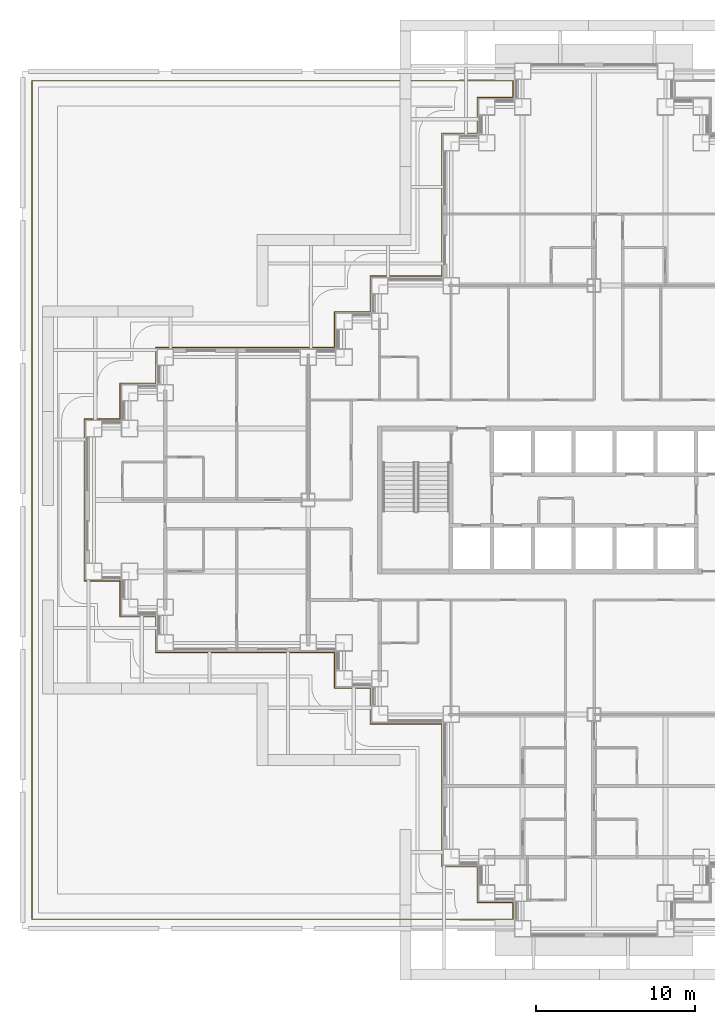
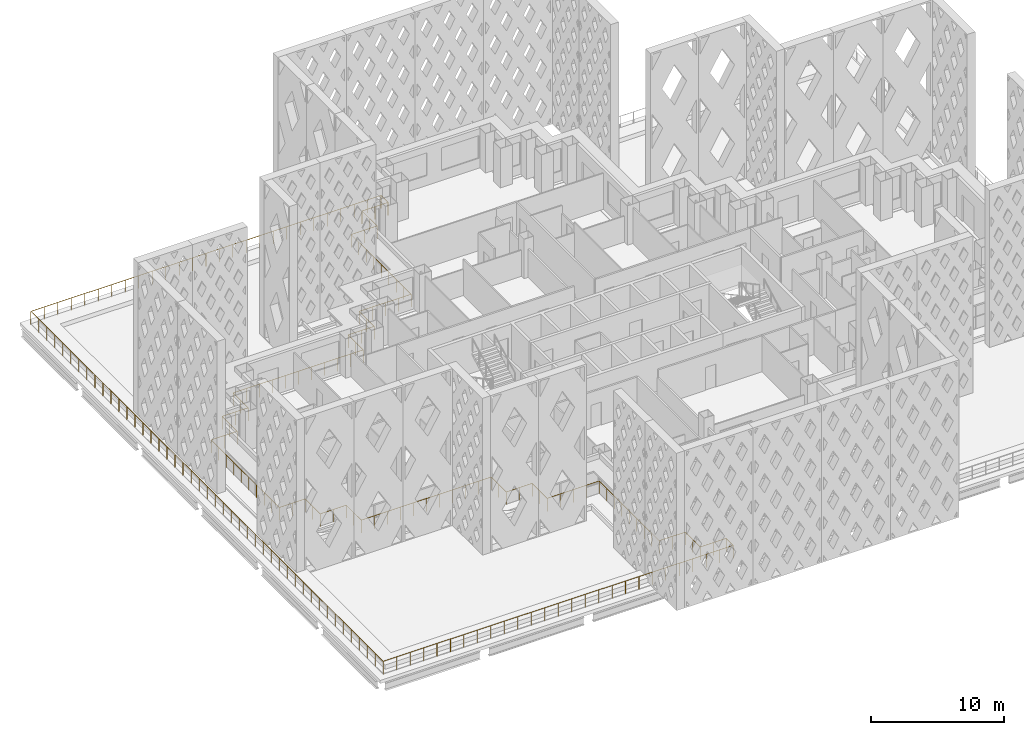
# One storey, part 16 of 26: 1 railing.
"""IFC4 building model written with IfcOpenShell, lengths in metres."""

from ifc_helpers import new_model, si_unit, direction, frame, origin, origin_2d, place, context, subcontext, project, spatial, circle, extrude, material, type_object, element, save


model = new_model("IFC4")

# Units and contexts
model_context = context("Model", 3, precision=1e-05, world=origin(), true_north=direction((0.0, 1.0)))
body_context = subcontext(model_context, "Body", "Model", "MODEL_VIEW")
ifc_project = project(units=[si_unit("LENGTHUNIT", "METRE"), si_unit("AREAUNIT", "SQUARE_METRE"), si_unit("VOLUMEUNIT", "CUBIC_METRE"), si_unit("PLANEANGLEUNIT", "RADIAN"), si_unit("MASSUNIT", "GRAM", prefix="KILO")], contexts=[model_context])

# Site, building, storey
site_placement = place(None, origin())
site = spatial("IfcSite", under=ifc_project, at=site_placement, CompositionType="ELEMENT")
building_placement = place(site_placement, origin())
building = spatial("IfcBuilding", under=site, at=building_placement, Name="Caravel Reach Hotel and Residences", CompositionType="ELEMENT")
storey_placement = place(building_placement, frame((0.0, 0.0, 33.60009765625)))
storey = spatial("IfcBuildingStorey", under=building, at=storey_placement, Name="L06", CompositionType="ELEMENT", Elevation=33.60009765625)

# Railing
ifc_material = material(Name="Stainless steel S30408", Category="steel")
railing_type = type_object("IfcRailingType", Name="G1 Guard 1200 stainless", PredefinedType="GUARDRAIL", material=ifc_material)
railing_placement = place(storey_placement, frame((-3.89990234375, 0.60009765625, 0.0)))
element("IfcRailing", 1, at=railing_placement, inside=storey, type_object=railing_type, Name="Guard podium terrace 2", PredefinedType="GUARDRAIL", context=body_context, shape_type="SweptSolid", body=[
    extrude(circle(Radius=0.02392578125, at=origin_2d()), frame((0.0, 0.0, 1.17578125), z_axis=(0.0, 1.0, 0.0), x_axis=(-1.0, 0.0, 0.0)), (0.0, 0.0, 1.0), 52.7998046875),
    extrude(circle(Radius=0.02392578125, at=origin_2d()), frame((0.0, 52.7998046875, 1.17578125), z_axis=(1.0, 0.0, 0.0), x_axis=(0.0, 1.0, 0.0)), (0.0, 0.0, 1.0), 30.2998046875),
    extrude(circle(Radius=0.02392578125, at=origin_2d()), frame((30.2998046875, 52.7998046875, 1.17578125), z_axis=(0.0, -1.0, 0.0), x_axis=(1.0, 0.0, 0.0)), (0.0, 0.0, 1.0), 1.0498046875),
    extrude(circle(Radius=0.02392578125, at=origin_2d()), frame((30.2998046875, 51.75, 1.17578125), z_axis=(-1.0, 0.0, 0.0), x_axis=(0.0, -1.0, 0.0)), (0.0, 0.0, 1.0), 2.25),
    extrude(circle(Radius=0.02392578125, at=origin_2d()), frame((28.0498046875, 51.75, 1.17578125), z_axis=(0.0, -1.0, 0.0), x_axis=(1.0, 0.0, 0.0)), (0.0, 0.0, 1.0), 2.25),
    extrude(circle(Radius=0.02392578125, at=origin_2d()), frame((28.0498046875, 49.5, 1.17578125), z_axis=(-1.0, 0.0, 0.0), x_axis=(0.0, -1.0, 0.0)), (0.0, 0.0, 1.0), 2.25),
    extrude(circle(Radius=0.02392578125, at=origin_2d()), frame((25.7998046875, 49.5, 1.17578125), z_axis=(0.0, -1.0, 0.0), x_axis=(1.0, 0.0, 0.0)), (0.0, 0.0, 1.0), 9.0),
    extrude(circle(Radius=0.02392578125, at=origin_2d()), frame((25.7998046875, 40.5, 1.17578125), z_axis=(-1.0, 0.0, 0.0), x_axis=(0.0, -1.0, 0.0)), (0.0, 0.0, 1.0), 4.5),
    extrude(circle(Radius=0.02392578125, at=origin_2d()), frame((21.2998046875, 40.5, 1.17578125), z_axis=(0.0, -1.0, 0.0), x_axis=(1.0, 0.0, 0.0)), (0.0, 0.0, 1.0), 2.25),
    extrude(circle(Radius=0.02392578125, at=origin_2d()), frame((21.2998046875, 38.25, 1.17578125), z_axis=(-1.0, 0.0, 0.0), x_axis=(0.0, -1.0, 0.0)), (0.0, 0.0, 1.0), 2.25),
    extrude(circle(Radius=0.02392578125, at=origin_2d()), frame((19.0498046875, 38.25, 1.17578125), z_axis=(0.0, -1.0, 0.0), x_axis=(1.0, 0.0, 0.0)), (0.0, 0.0, 1.0), 2.25),
    extrude(circle(Radius=0.02392578125, at=origin_2d()), frame((19.0498046875, 36.0, 1.17578125), z_axis=(-1.0, 0.0, 0.0), x_axis=(0.0, -1.0, 0.0)), (0.0, 0.0, 1.0), 11.25),
    extrude(circle(Radius=0.02392578125, at=origin_2d()), frame((7.7998046875, 36.0, 1.17578125), z_axis=(0.0, -1.0, 0.0), x_axis=(1.0, 0.0, 0.0)), (0.0, 0.0, 1.0), 2.25),
    extrude(circle(Radius=0.02392578125, at=origin_2d()), frame((7.7998046875, 33.75, 1.17578125), z_axis=(-1.0, 0.0, 0.0), x_axis=(0.0, -1.0, 0.0)), (0.0, 0.0, 1.0), 2.25),
    extrude(circle(Radius=0.02392578125, at=origin_2d()), frame((5.5498046875, 33.75, 1.17578125), z_axis=(0.0, -1.0, 0.0), x_axis=(1.0, 0.0, 0.0)), (0.0, 0.0, 1.0), 2.25),
    extrude(circle(Radius=0.02392578125, at=origin_2d()), frame((5.5498046875, 31.5, 1.17578125), z_axis=(-1.0, 0.0, 0.0), x_axis=(0.0, -1.0, 0.0)), (0.0, 0.0, 1.0), 2.25),
    extrude(circle(Radius=0.02392578125, at=origin_2d()), frame((3.2998046875, 31.5, 1.17578125), z_axis=(0.0, -1.0, 0.0), x_axis=(1.0, 0.0, 0.0)), (0.0, 0.0, 1.0), 10.2001953125),
    extrude(circle(Radius=0.02392578125, at=origin_2d()), frame((3.2998046875, 21.2998046875, 1.17578125), z_axis=(1.0, 0.0, 0.0), x_axis=(0.0, 1.0, 0.0)), (0.0, 0.0, 1.0), 2.25),
    extrude(circle(Radius=0.02392578125, at=origin_2d()), frame((5.5498046875, 21.2998046875, 1.17578125), z_axis=(0.0, -1.0, 0.0), x_axis=(1.0, 0.0, 0.0)), (0.0, 0.0, 1.0), 2.25),
    extrude(circle(Radius=0.02392578125, at=origin_2d()), frame((5.5498046875, 19.0498046875, 1.17578125), z_axis=(1.0, 0.0, 0.0), x_axis=(0.0, 1.0, 0.0)), (0.0, 0.0, 1.0), 2.25),
    extrude(circle(Radius=0.02392578125, at=origin_2d()), frame((7.7998046875, 19.0498046875, 1.17578125), z_axis=(0.0, -1.0, 0.0), x_axis=(1.0, 0.0, 0.0)), (0.0, 0.0, 1.0), 2.25),
    extrude(circle(Radius=0.02392578125, at=origin_2d()), frame((7.7998046875, 16.7998046875, 1.17578125), z_axis=(1.0, 0.0, 0.0), x_axis=(0.0, 1.0, 0.0)), (0.0, 0.0, 1.0), 11.25),
    extrude(circle(Radius=0.02392578125, at=origin_2d()), frame((19.0498046875, 16.7998046875, 1.17578125), z_axis=(0.0, -1.0, 0.0), x_axis=(1.0, 0.0, 0.0)), (0.0, 0.0, 1.0), 2.25),
    extrude(circle(Radius=0.02392578125, at=origin_2d()), frame((19.0498046875, 14.5498046875, 1.17578125), z_axis=(1.0, 0.0, 0.0), x_axis=(0.0, 1.0, 0.0)), (0.0, 0.0, 1.0), 2.25),
    extrude(circle(Radius=0.02392578125, at=origin_2d()), frame((21.2998046875, 14.5498046875, 1.17578125), z_axis=(0.0, -1.0, 0.0), x_axis=(1.0, 0.0, 0.0)), (0.0, 0.0, 1.0), 2.25),
    extrude(circle(Radius=0.02392578125, at=origin_2d()), frame((21.2998046875, 12.2998046875, 1.17578125), z_axis=(1.0, 0.0, 0.0), x_axis=(0.0, 1.0, 0.0)), (0.0, 0.0, 1.0), 4.5),
    extrude(circle(Radius=0.02392578125, at=origin_2d()), frame((25.7998046875, 12.2998046875, 1.17578125), z_axis=(0.0, -1.0, 0.0), x_axis=(1.0, 0.0, 0.0)), (0.0, 0.0, 1.0), 9.0),
    extrude(circle(Radius=0.02392578125, at=origin_2d()), frame((25.7998046875, 3.2998046875, 1.17578125), z_axis=(1.0, 0.0, 0.0), x_axis=(0.0, 1.0, 0.0)), (0.0, 0.0, 1.0), 2.25),
    extrude(circle(Radius=0.02392578125, at=origin_2d()), frame((28.0498046875, 3.2998046875, 1.17578125), z_axis=(0.0, -1.0, 0.0), x_axis=(1.0, 0.0, 0.0)), (0.0, 0.0, 1.0), 2.25),
    extrude(circle(Radius=0.02392578125, at=origin_2d()), frame((28.0498046875, 1.0498046875, 1.17578125), z_axis=(1.0, 0.0, 0.0), x_axis=(0.0, 1.0, 0.0)), (0.0, 0.0, 1.0), 2.25),
    extrude(circle(Radius=0.02392578125, at=origin_2d()), frame((30.2998046875, 1.0498046875, 1.17578125), z_axis=(0.0, -1.0, 0.0), x_axis=(1.0, 0.0, 0.0)), (0.0, 0.0, 1.0), 1.0498046875),
    extrude(circle(Radius=0.02392578125, at=origin_2d()), frame((30.2998046875, 0.0, 1.17578125), z_axis=(-1.0, 0.0, 0.0), x_axis=(0.0, -1.0, 0.0)), (0.0, 0.0, 1.0), 30.2998046875),
    extrude(circle(Radius=0.02099609375, at=origin_2d()), origin(), (0.0, 0.0, 1.0), 1.15185546875),
    extrude(circle(Radius=0.02099609375, at=origin_2d()), frame((0.0, 1.199951171875, 0.0)), (0.0, 0.0, 1.0), 1.15185546875),
    extrude(circle(Radius=0.02099609375, at=origin_2d()), frame((0.0, 2.39990234375, 0.0)), (0.0, 0.0, 1.0), 1.15185546875),
    extrude(circle(Radius=0.02099609375, at=origin_2d()), frame((0.0, 3.60009765625, 0.0)), (0.0, 0.0, 1.0), 1.15185546875),
    extrude(circle(Radius=0.02099609375, at=origin_2d()), frame((0.0, 4.800048828125, 0.0)), (0.0, 0.0, 1.0), 1.15185546875),
    extrude(circle(Radius=0.02099609375, at=origin_2d()), frame((0.0, 6.0, 0.0)), (0.0, 0.0, 1.0), 1.15185546875),
    extrude(circle(Radius=0.02099609375, at=origin_2d()), frame((0.0, 7.199951171875, 0.0)), (0.0, 0.0, 1.0), 1.15185546875),
    extrude(circle(Radius=0.02099609375, at=origin_2d()), frame((0.0, 8.39990234375, 0.0)), (0.0, 0.0, 1.0), 1.15185546875),
    extrude(circle(Radius=0.02099609375, at=origin_2d()), frame((0.0, 9.599853515625, 0.0)), (0.0, 0.0, 1.0), 1.15185546875),
    extrude(circle(Radius=0.02099609375, at=origin_2d()), frame((0.0, 10.800048828125, 0.0)), (0.0, 0.0, 1.0), 1.15185546875),
    extrude(circle(Radius=0.02099609375, at=origin_2d()), frame((0.0, 12.0, 0.0)), (0.0, 0.0, 1.0), 1.15185546875),
    extrude(circle(Radius=0.02099609375, at=origin_2d()), frame((0.0, 13.199951171875, 0.0)), (0.0, 0.0, 1.0), 1.15185546875),
    extrude(circle(Radius=0.02099609375, at=origin_2d()), frame((0.0, 14.39990234375, 0.0)), (0.0, 0.0, 1.0), 1.15185546875),
    extrude(circle(Radius=0.02099609375, at=origin_2d()), frame((0.0, 15.599853515625, 0.0)), (0.0, 0.0, 1.0), 1.15185546875),
    extrude(circle(Radius=0.02099609375, at=origin_2d()), frame((0.0, 16.800048828125, 0.0)), (0.0, 0.0, 1.0), 1.15185546875),
    extrude(circle(Radius=0.02099609375, at=origin_2d()), frame((0.0, 18.0, 0.0)), (0.0, 0.0, 1.0), 1.15185546875),
    extrude(circle(Radius=0.02099609375, at=origin_2d()), frame((0.0, 19.199951171875, 0.0)), (0.0, 0.0, 1.0), 1.15185546875),
    extrude(circle(Radius=0.02099609375, at=origin_2d()), frame((0.0, 20.39990234375, 0.0)), (0.0, 0.0, 1.0), 1.15185546875),
    extrude(circle(Radius=0.02099609375, at=origin_2d()), frame((0.0, 21.599853515625, 0.0)), (0.0, 0.0, 1.0), 1.15185546875),
    extrude(circle(Radius=0.02099609375, at=origin_2d()), frame((0.0, 22.7998046875, 0.0)), (0.0, 0.0, 1.0), 1.15185546875),
    extrude(circle(Radius=0.02099609375, at=origin_2d()), frame((0.0, 24.0, 0.0)), (0.0, 0.0, 1.0), 1.15185546875),
    extrude(circle(Radius=0.02099609375, at=origin_2d()), frame((0.0, 25.199951171875, 0.0)), (0.0, 0.0, 1.0), 1.15185546875),
    extrude(circle(Radius=0.02099609375, at=origin_2d()), frame((0.0, 26.39990234375, 0.0)), (0.0, 0.0, 1.0), 1.15185546875),
    extrude(circle(Radius=0.02099609375, at=origin_2d()), frame((0.0, 27.599853515625, 0.0)), (0.0, 0.0, 1.0), 1.15185546875),
    extrude(circle(Radius=0.02099609375, at=origin_2d()), frame((0.0, 28.7998046875, 0.0)), (0.0, 0.0, 1.0), 1.15185546875),
    extrude(circle(Radius=0.02099609375, at=origin_2d()), frame((0.0, 30.0, 0.0)), (0.0, 0.0, 1.0), 1.15185546875),
    extrude(circle(Radius=0.02099609375, at=origin_2d()), frame((0.0, 31.199951171875, 0.0)), (0.0, 0.0, 1.0), 1.15185546875),
    extrude(circle(Radius=0.02099609375, at=origin_2d()), frame((0.0, 32.39990234375, 0.0)), (0.0, 0.0, 1.0), 1.15185546875),
    extrude(circle(Radius=0.02099609375, at=origin_2d()), frame((0.0, 33.599853515625, 0.0)), (0.0, 0.0, 1.0), 1.15185546875),
    extrude(circle(Radius=0.02099609375, at=origin_2d()), frame((0.0, 34.7998046875, 0.0)), (0.0, 0.0, 1.0), 1.15185546875),
    extrude(circle(Radius=0.02099609375, at=origin_2d()), frame((0.0, 35.999755859375, 0.0)), (0.0, 0.0, 1.0), 1.15185546875),
    extrude(circle(Radius=0.02099609375, at=origin_2d()), frame((0.0, 37.199951171875, 0.0)), (0.0, 0.0, 1.0), 1.15185546875),
    extrude(circle(Radius=0.02099609375, at=origin_2d()), frame((0.0, 38.39990234375, 0.0)), (0.0, 0.0, 1.0), 1.15185546875),
    extrude(circle(Radius=0.02099609375, at=origin_2d()), frame((0.0, 39.599853515625, 0.0)), (0.0, 0.0, 1.0), 1.15185546875),
    extrude(circle(Radius=0.02099609375, at=origin_2d()), frame((0.0, 40.7998046875, 0.0)), (0.0, 0.0, 1.0), 1.15185546875),
    extrude(circle(Radius=0.02099609375, at=origin_2d()), frame((0.0, 41.999755859375, 0.0)), (0.0, 0.0, 1.0), 1.15185546875),
    extrude(circle(Radius=0.02099609375, at=origin_2d()), frame((0.0, 43.199951171875, 0.0)), (0.0, 0.0, 1.0), 1.15185546875),
    extrude(circle(Radius=0.02099609375, at=origin_2d()), frame((0.0, 44.39990234375, 0.0)), (0.0, 0.0, 1.0), 1.15185546875),
    extrude(circle(Radius=0.02099609375, at=origin_2d()), frame((0.0, 45.599853515625, 0.0)), (0.0, 0.0, 1.0), 1.15185546875),
    extrude(circle(Radius=0.02099609375, at=origin_2d()), frame((0.0, 46.7998046875, 0.0)), (0.0, 0.0, 1.0), 1.15185546875),
    extrude(circle(Radius=0.02099609375, at=origin_2d()), frame((0.0, 47.999755859375, 0.0)), (0.0, 0.0, 1.0), 1.15185546875),
    extrude(circle(Radius=0.02099609375, at=origin_2d()), frame((0.0, 49.19970703125, 0.0)), (0.0, 0.0, 1.0), 1.15185546875),
    extrude(circle(Radius=0.02099609375, at=origin_2d()), frame((0.0, 50.39990234375, 0.0)), (0.0, 0.0, 1.0), 1.15185546875),
    extrude(circle(Radius=0.02099609375, at=origin_2d()), frame((0.0, 51.599853515625, 0.0)), (0.0, 0.0, 1.0), 1.15185546875),
    extrude(circle(Radius=0.02099609375, at=origin_2d()), frame((0.0, 52.7998046875, 0.0)), (0.0, 0.0, 1.0), 1.15185546875),
    extrude(circle(Radius=0.02099609375, at=origin_2d()), frame((1.165283203125, 52.7998046875, 0.0)), (0.0, 0.0, 1.0), 1.15185546875),
    extrude(circle(Radius=0.02099609375, at=origin_2d()), frame((2.330810546875, 52.7998046875, 0.0)), (0.0, 0.0, 1.0), 1.15185546875),
    extrude(circle(Radius=0.02099609375, at=origin_2d()), frame((3.49609375, 52.7998046875, 0.0)), (0.0, 0.0, 1.0), 1.15185546875),
    extrude(circle(Radius=0.02099609375, at=origin_2d()), frame((4.66162109375, 52.7998046875, 0.0)), (0.0, 0.0, 1.0), 1.15185546875),
    extrude(circle(Radius=0.02099609375, at=origin_2d()), frame((5.826904296875, 52.7998046875, 0.0)), (0.0, 0.0, 1.0), 1.15185546875),
    extrude(circle(Radius=0.02099609375, at=origin_2d()), frame((6.9921875, 52.7998046875, 0.0)), (0.0, 0.0, 1.0), 1.15185546875),
    extrude(circle(Radius=0.02099609375, at=origin_2d()), frame((8.15771484375, 52.7998046875, 0.0)), (0.0, 0.0, 1.0), 1.15185546875),
    extrude(circle(Radius=0.02099609375, at=origin_2d()), frame((9.322998046875, 52.7998046875, 0.0)), (0.0, 0.0, 1.0), 1.15185546875),
    extrude(circle(Radius=0.02099609375, at=origin_2d()), frame((10.48828125, 52.7998046875, 0.0)), (0.0, 0.0, 1.0), 1.15185546875),
    extrude(circle(Radius=0.02099609375, at=origin_2d()), frame((11.65380859375, 52.7998046875, 0.0)), (0.0, 0.0, 1.0), 1.15185546875),
    extrude(circle(Radius=0.02099609375, at=origin_2d()), frame((12.819091796875, 52.7998046875, 0.0)), (0.0, 0.0, 1.0), 1.15185546875),
    extrude(circle(Radius=0.02099609375, at=origin_2d()), frame((13.984619140625, 52.7998046875, 0.0)), (0.0, 0.0, 1.0), 1.15185546875),
    extrude(circle(Radius=0.02099609375, at=origin_2d()), frame((15.14990234375, 52.7998046875, 0.0)), (0.0, 0.0, 1.0), 1.15185546875),
    extrude(circle(Radius=0.02099609375, at=origin_2d()), frame((16.315185546875, 52.7998046875, 0.0)), (0.0, 0.0, 1.0), 1.15185546875),
    extrude(circle(Radius=0.02099609375, at=origin_2d()), frame((17.480712890625, 52.7998046875, 0.0)), (0.0, 0.0, 1.0), 1.15185546875),
    extrude(circle(Radius=0.02099609375, at=origin_2d()), frame((18.64599609375, 52.7998046875, 0.0)), (0.0, 0.0, 1.0), 1.15185546875),
    extrude(circle(Radius=0.02099609375, at=origin_2d()), frame((19.8115234375, 52.7998046875, 0.0)), (0.0, 0.0, 1.0), 1.15185546875),
    extrude(circle(Radius=0.02099609375, at=origin_2d()), frame((20.976806640625, 52.7998046875, 0.0)), (0.0, 0.0, 1.0), 1.15185546875),
    extrude(circle(Radius=0.02099609375, at=origin_2d()), frame((22.14208984375, 52.7998046875, 0.0)), (0.0, 0.0, 1.0), 1.15185546875),
    extrude(circle(Radius=0.02099609375, at=origin_2d()), frame((23.3076171875, 52.7998046875, 0.0)), (0.0, 0.0, 1.0), 1.15185546875),
    extrude(circle(Radius=0.02099609375, at=origin_2d()), frame((24.472900390625, 52.7998046875, 0.0)), (0.0, 0.0, 1.0), 1.15185546875),
    extrude(circle(Radius=0.02099609375, at=origin_2d()), frame((25.63818359375, 52.7998046875, 0.0)), (0.0, 0.0, 1.0), 1.15185546875),
    extrude(circle(Radius=0.02099609375, at=origin_2d()), frame((26.8037109375, 52.7998046875, 0.0)), (0.0, 0.0, 1.0), 1.15185546875),
    extrude(circle(Radius=0.02099609375, at=origin_2d()), frame((27.968994140625, 52.7998046875, 0.0)), (0.0, 0.0, 1.0), 1.15185546875),
    extrude(circle(Radius=0.02099609375, at=origin_2d()), frame((29.134521484375, 52.7998046875, 0.0)), (0.0, 0.0, 1.0), 1.15185546875),
    extrude(circle(Radius=0.02099609375, at=origin_2d()), frame((30.2998046875, 52.7998046875, 0.0)), (0.0, 0.0, 1.0), 1.15185546875),
    extrude(circle(Radius=0.02099609375, at=origin_2d()), frame((30.2998046875, 51.75, 0.0)), (0.0, 0.0, 1.0), 1.15185546875),
    extrude(circle(Radius=0.02099609375, at=origin_2d()), frame((29.1748046875, 51.75, 0.0)), (0.0, 0.0, 1.0), 1.15185546875),
    extrude(circle(Radius=0.02099609375, at=origin_2d()), frame((28.0498046875, 51.75, 0.0)), (0.0, 0.0, 1.0), 1.15185546875),
    extrude(circle(Radius=0.02099609375, at=origin_2d()), frame((28.0498046875, 50.625, 0.0)), (0.0, 0.0, 1.0), 1.15185546875),
    extrude(circle(Radius=0.02099609375, at=origin_2d()), frame((28.0498046875, 49.5, 0.0)), (0.0, 0.0, 1.0), 1.15185546875),
    extrude(circle(Radius=0.02099609375, at=origin_2d()), frame((26.9248046875, 49.5, 0.0)), (0.0, 0.0, 1.0), 1.15185546875),
    extrude(circle(Radius=0.02099609375, at=origin_2d()), frame((25.7998046875, 49.5, 0.0)), (0.0, 0.0, 1.0), 1.15185546875),
    extrude(circle(Radius=0.02099609375, at=origin_2d()), frame((25.7998046875, 48.375, 0.0)), (0.0, 0.0, 1.0), 1.15185546875),
    extrude(circle(Radius=0.02099609375, at=origin_2d()), frame((25.7998046875, 47.25, 0.0)), (0.0, 0.0, 1.0), 1.15185546875),
    extrude(circle(Radius=0.02099609375, at=origin_2d()), frame((25.7998046875, 46.125, 0.0)), (0.0, 0.0, 1.0), 1.15185546875),
    extrude(circle(Radius=0.02099609375, at=origin_2d()), frame((25.7998046875, 45.0, 0.0)), (0.0, 0.0, 1.0), 1.15185546875),
    extrude(circle(Radius=0.02099609375, at=origin_2d()), frame((25.7998046875, 43.875, 0.0)), (0.0, 0.0, 1.0), 1.15185546875),
    extrude(circle(Radius=0.02099609375, at=origin_2d()), frame((25.7998046875, 42.75, 0.0)), (0.0, 0.0, 1.0), 1.15185546875),
    extrude(circle(Radius=0.02099609375, at=origin_2d()), frame((25.7998046875, 41.625, 0.0)), (0.0, 0.0, 1.0), 1.15185546875),
    extrude(circle(Radius=0.02099609375, at=origin_2d()), frame((25.7998046875, 40.5, 0.0)), (0.0, 0.0, 1.0), 1.15185546875),
    extrude(circle(Radius=0.02099609375, at=origin_2d()), frame((24.6748046875, 40.5, 0.0)), (0.0, 0.0, 1.0), 1.15185546875),
    extrude(circle(Radius=0.02099609375, at=origin_2d()), frame((23.5498046875, 40.5, 0.0)), (0.0, 0.0, 1.0), 1.15185546875),
    extrude(circle(Radius=0.02099609375, at=origin_2d()), frame((22.4248046875, 40.5, 0.0)), (0.0, 0.0, 1.0), 1.15185546875),
    extrude(circle(Radius=0.02099609375, at=origin_2d()), frame((21.2998046875, 40.5, 0.0)), (0.0, 0.0, 1.0), 1.15185546875),
    extrude(circle(Radius=0.02099609375, at=origin_2d()), frame((21.2998046875, 39.375, 0.0)), (0.0, 0.0, 1.0), 1.15185546875),
    extrude(circle(Radius=0.02099609375, at=origin_2d()), frame((21.2998046875, 38.25, 0.0)), (0.0, 0.0, 1.0), 1.15185546875),
    extrude(circle(Radius=0.02099609375, at=origin_2d()), frame((20.1748046875, 38.25, 0.0)), (0.0, 0.0, 1.0), 1.15185546875),
    extrude(circle(Radius=0.02099609375, at=origin_2d()), frame((19.0498046875, 38.25, 0.0)), (0.0, 0.0, 1.0), 1.15185546875),
    extrude(circle(Radius=0.02099609375, at=origin_2d()), frame((19.0498046875, 37.125, 0.0)), (0.0, 0.0, 1.0), 1.15185546875),
    extrude(circle(Radius=0.02099609375, at=origin_2d()), frame((19.0498046875, 36.0, 0.0)), (0.0, 0.0, 1.0), 1.15185546875),
    extrude(circle(Radius=0.02099609375, at=origin_2d()), frame((17.9248046875, 36.0, 0.0)), (0.0, 0.0, 1.0), 1.15185546875),
    extrude(circle(Radius=0.02099609375, at=origin_2d()), frame((16.7998046875, 36.0, 0.0)), (0.0, 0.0, 1.0), 1.15185546875),
    extrude(circle(Radius=0.02099609375, at=origin_2d()), frame((15.6748046875, 36.0, 0.0)), (0.0, 0.0, 1.0), 1.15185546875),
    extrude(circle(Radius=0.02099609375, at=origin_2d()), frame((14.5498046875, 36.0, 0.0)), (0.0, 0.0, 1.0), 1.15185546875),
    extrude(circle(Radius=0.02099609375, at=origin_2d()), frame((13.4248046875, 36.0, 0.0)), (0.0, 0.0, 1.0), 1.15185546875),
    extrude(circle(Radius=0.02099609375, at=origin_2d()), frame((12.2998046875, 36.0, 0.0)), (0.0, 0.0, 1.0), 1.15185546875),
    extrude(circle(Radius=0.02099609375, at=origin_2d()), frame((11.1748046875, 36.0, 0.0)), (0.0, 0.0, 1.0), 1.15185546875),
    extrude(circle(Radius=0.02099609375, at=origin_2d()), frame((10.0498046875, 36.0, 0.0)), (0.0, 0.0, 1.0), 1.15185546875),
    extrude(circle(Radius=0.02099609375, at=origin_2d()), frame((8.9248046875, 36.0, 0.0)), (0.0, 0.0, 1.0), 1.15185546875),
    extrude(circle(Radius=0.02099609375, at=origin_2d()), frame((7.7998046875, 36.0, 0.0)), (0.0, 0.0, 1.0), 1.15185546875),
    extrude(circle(Radius=0.02099609375, at=origin_2d()), frame((7.7998046875, 34.875, 0.0)), (0.0, 0.0, 1.0), 1.15185546875),
    extrude(circle(Radius=0.02099609375, at=origin_2d()), frame((7.7998046875, 33.75, 0.0)), (0.0, 0.0, 1.0), 1.15185546875),
    extrude(circle(Radius=0.02099609375, at=origin_2d()), frame((6.6748046875, 33.75, 0.0)), (0.0, 0.0, 1.0), 1.15185546875),
    extrude(circle(Radius=0.02099609375, at=origin_2d()), frame((5.5498046875, 33.75, 0.0)), (0.0, 0.0, 1.0), 1.15185546875),
    extrude(circle(Radius=0.02099609375, at=origin_2d()), frame((5.5498046875, 32.625, 0.0)), (0.0, 0.0, 1.0), 1.15185546875),
    extrude(circle(Radius=0.02099609375, at=origin_2d()), frame((5.5498046875, 31.5, 0.0)), (0.0, 0.0, 1.0), 1.15185546875),
    extrude(circle(Radius=0.02099609375, at=origin_2d()), frame((4.4248046875, 31.5, 0.0)), (0.0, 0.0, 1.0), 1.15185546875),
    extrude(circle(Radius=0.02099609375, at=origin_2d()), frame((3.2998046875, 31.5, 0.0)), (0.0, 0.0, 1.0), 1.15185546875),
    extrude(circle(Radius=0.02099609375, at=origin_2d()), frame((3.2998046875, 30.36669921875, 0.0)), (0.0, 0.0, 1.0), 1.15185546875),
    extrude(circle(Radius=0.02099609375, at=origin_2d()), frame((3.2998046875, 29.2333984375, 0.0)), (0.0, 0.0, 1.0), 1.15185546875),
    extrude(circle(Radius=0.02099609375, at=origin_2d()), frame((3.2998046875, 28.099853515625, 0.0)), (0.0, 0.0, 1.0), 1.15185546875),
    extrude(circle(Radius=0.02099609375, at=origin_2d()), frame((3.2998046875, 26.966552734375, 0.0)), (0.0, 0.0, 1.0), 1.15185546875),
    extrude(circle(Radius=0.02099609375, at=origin_2d()), frame((3.2998046875, 25.833251953125, 0.0)), (0.0, 0.0, 1.0), 1.15185546875),
    extrude(circle(Radius=0.02099609375, at=origin_2d()), frame((3.2998046875, 24.699951171875, 0.0)), (0.0, 0.0, 1.0), 1.15185546875),
    extrude(circle(Radius=0.02099609375, at=origin_2d()), frame((3.2998046875, 23.56640625, 0.0)), (0.0, 0.0, 1.0), 1.15185546875),
    extrude(circle(Radius=0.02099609375, at=origin_2d()), frame((3.2998046875, 22.43310546875, 0.0)), (0.0, 0.0, 1.0), 1.15185546875),
    extrude(circle(Radius=0.02099609375, at=origin_2d()), frame((3.2998046875, 21.2998046875, 0.0)), (0.0, 0.0, 1.0), 1.15185546875),
    extrude(circle(Radius=0.02099609375, at=origin_2d()), frame((4.4248046875, 21.2998046875, 0.0)), (0.0, 0.0, 1.0), 1.15185546875),
    extrude(circle(Radius=0.02099609375, at=origin_2d()), frame((5.5498046875, 21.2998046875, 0.0)), (0.0, 0.0, 1.0), 1.15185546875),
    extrude(circle(Radius=0.02099609375, at=origin_2d()), frame((5.5498046875, 20.1748046875, 0.0)), (0.0, 0.0, 1.0), 1.15185546875),
    extrude(circle(Radius=0.02099609375, at=origin_2d()), frame((5.5498046875, 19.0498046875, 0.0)), (0.0, 0.0, 1.0), 1.15185546875),
    extrude(circle(Radius=0.02099609375, at=origin_2d()), frame((6.6748046875, 19.0498046875, 0.0)), (0.0, 0.0, 1.0), 1.15185546875),
    extrude(circle(Radius=0.02099609375, at=origin_2d()), frame((7.7998046875, 19.0498046875, 0.0)), (0.0, 0.0, 1.0), 1.15185546875),
    extrude(circle(Radius=0.02099609375, at=origin_2d()), frame((7.7998046875, 17.9248046875, 0.0)), (0.0, 0.0, 1.0), 1.15185546875),
    extrude(circle(Radius=0.02099609375, at=origin_2d()), frame((7.7998046875, 16.7998046875, 0.0)), (0.0, 0.0, 1.0), 1.15185546875),
    extrude(circle(Radius=0.02099609375, at=origin_2d()), frame((8.9248046875, 16.7998046875, 0.0)), (0.0, 0.0, 1.0), 1.15185546875),
    extrude(circle(Radius=0.02099609375, at=origin_2d()), frame((10.0498046875, 16.7998046875, 0.0)), (0.0, 0.0, 1.0), 1.15185546875),
    extrude(circle(Radius=0.02099609375, at=origin_2d()), frame((11.1748046875, 16.7998046875, 0.0)), (0.0, 0.0, 1.0), 1.15185546875),
    extrude(circle(Radius=0.02099609375, at=origin_2d()), frame((12.2998046875, 16.7998046875, 0.0)), (0.0, 0.0, 1.0), 1.15185546875),
    extrude(circle(Radius=0.02099609375, at=origin_2d()), frame((13.4248046875, 16.7998046875, 0.0)), (0.0, 0.0, 1.0), 1.15185546875),
    extrude(circle(Radius=0.02099609375, at=origin_2d()), frame((14.5498046875, 16.7998046875, 0.0)), (0.0, 0.0, 1.0), 1.15185546875),
    extrude(circle(Radius=0.02099609375, at=origin_2d()), frame((15.6748046875, 16.7998046875, 0.0)), (0.0, 0.0, 1.0), 1.15185546875),
    extrude(circle(Radius=0.02099609375, at=origin_2d()), frame((16.7998046875, 16.7998046875, 0.0)), (0.0, 0.0, 1.0), 1.15185546875),
    extrude(circle(Radius=0.02099609375, at=origin_2d()), frame((17.9248046875, 16.7998046875, 0.0)), (0.0, 0.0, 1.0), 1.15185546875),
    extrude(circle(Radius=0.02099609375, at=origin_2d()), frame((19.0498046875, 16.7998046875, 0.0)), (0.0, 0.0, 1.0), 1.15185546875),
    extrude(circle(Radius=0.02099609375, at=origin_2d()), frame((19.0498046875, 15.6748046875, 0.0)), (0.0, 0.0, 1.0), 1.15185546875),
    extrude(circle(Radius=0.02099609375, at=origin_2d()), frame((19.0498046875, 14.5498046875, 0.0)), (0.0, 0.0, 1.0), 1.15185546875),
    extrude(circle(Radius=0.02099609375, at=origin_2d()), frame((20.1748046875, 14.5498046875, 0.0)), (0.0, 0.0, 1.0), 1.15185546875),
    extrude(circle(Radius=0.02099609375, at=origin_2d()), frame((21.2998046875, 14.5498046875, 0.0)), (0.0, 0.0, 1.0), 1.15185546875),
    extrude(circle(Radius=0.02099609375, at=origin_2d()), frame((21.2998046875, 13.4248046875, 0.0)), (0.0, 0.0, 1.0), 1.15185546875),
    extrude(circle(Radius=0.02099609375, at=origin_2d()), frame((21.2998046875, 12.2998046875, 0.0)), (0.0, 0.0, 1.0), 1.15185546875),
    extrude(circle(Radius=0.02099609375, at=origin_2d()), frame((22.4248046875, 12.2998046875, 0.0)), (0.0, 0.0, 1.0), 1.15185546875),
    extrude(circle(Radius=0.02099609375, at=origin_2d()), frame((23.5498046875, 12.2998046875, 0.0)), (0.0, 0.0, 1.0), 1.15185546875),
    extrude(circle(Radius=0.02099609375, at=origin_2d()), frame((24.6748046875, 12.2998046875, 0.0)), (0.0, 0.0, 1.0), 1.15185546875),
    extrude(circle(Radius=0.02099609375, at=origin_2d()), frame((25.7998046875, 12.2998046875, 0.0)), (0.0, 0.0, 1.0), 1.15185546875),
    extrude(circle(Radius=0.02099609375, at=origin_2d()), frame((25.7998046875, 11.1748046875, 0.0)), (0.0, 0.0, 1.0), 1.15185546875),
    extrude(circle(Radius=0.02099609375, at=origin_2d()), frame((25.7998046875, 10.0498046875, 0.0)), (0.0, 0.0, 1.0), 1.15185546875),
    extrude(circle(Radius=0.02099609375, at=origin_2d()), frame((25.7998046875, 8.9248046875, 0.0)), (0.0, 0.0, 1.0), 1.15185546875),
    extrude(circle(Radius=0.02099609375, at=origin_2d()), frame((25.7998046875, 7.7998046875, 0.0)), (0.0, 0.0, 1.0), 1.15185546875),
    extrude(circle(Radius=0.02099609375, at=origin_2d()), frame((25.7998046875, 6.6748046875, 0.0)), (0.0, 0.0, 1.0), 1.15185546875),
    extrude(circle(Radius=0.02099609375, at=origin_2d()), frame((25.7998046875, 5.5498046875, 0.0)), (0.0, 0.0, 1.0), 1.15185546875),
    extrude(circle(Radius=0.02099609375, at=origin_2d()), frame((25.7998046875, 4.4248046875, 0.0)), (0.0, 0.0, 1.0), 1.15185546875),
    extrude(circle(Radius=0.02099609375, at=origin_2d()), frame((25.7998046875, 3.2998046875, 0.0)), (0.0, 0.0, 1.0), 1.15185546875),
    extrude(circle(Radius=0.02099609375, at=origin_2d()), frame((26.9248046875, 3.2998046875, 0.0)), (0.0, 0.0, 1.0), 1.15185546875),
    extrude(circle(Radius=0.02099609375, at=origin_2d()), frame((28.0498046875, 3.2998046875, 0.0)), (0.0, 0.0, 1.0), 1.15185546875),
    extrude(circle(Radius=0.02099609375, at=origin_2d()), frame((28.0498046875, 2.1748046875, 0.0)), (0.0, 0.0, 1.0), 1.15185546875),
    extrude(circle(Radius=0.02099609375, at=origin_2d()), frame((28.0498046875, 1.0498046875, 0.0)), (0.0, 0.0, 1.0), 1.15185546875),
    extrude(circle(Radius=0.02099609375, at=origin_2d()), frame((29.1748046875, 1.0498046875, 0.0)), (0.0, 0.0, 1.0), 1.15185546875),
    extrude(circle(Radius=0.02099609375, at=origin_2d()), frame((30.2998046875, 1.0498046875, 0.0)), (0.0, 0.0, 1.0), 1.15185546875),
    extrude(circle(Radius=0.02099609375, at=origin_2d()), frame((30.2998046875, 0.0, 0.0)), (0.0, 0.0, 1.0), 1.15185546875),
    extrude(circle(Radius=0.02099609375, at=origin_2d()), frame((29.134521484375, 0.0, 0.0)), (0.0, 0.0, 1.0), 1.15185546875),
    extrude(circle(Radius=0.02099609375, at=origin_2d()), frame((27.968994140625, 0.0, 0.0)), (0.0, 0.0, 1.0), 1.15185546875),
    extrude(circle(Radius=0.02099609375, at=origin_2d()), frame((26.8037109375, 0.0, 0.0)), (0.0, 0.0, 1.0), 1.15185546875),
    extrude(circle(Radius=0.02099609375, at=origin_2d()), frame((25.63818359375, 0.0, 0.0)), (0.0, 0.0, 1.0), 1.15185546875),
    extrude(circle(Radius=0.02099609375, at=origin_2d()), frame((24.472900390625, 0.0, 0.0)), (0.0, 0.0, 1.0), 1.15185546875),
    extrude(circle(Radius=0.02099609375, at=origin_2d()), frame((23.3076171875, 0.0, 0.0)), (0.0, 0.0, 1.0), 1.15185546875),
    extrude(circle(Radius=0.02099609375, at=origin_2d()), frame((22.14208984375, 0.0, 0.0)), (0.0, 0.0, 1.0), 1.15185546875),
    extrude(circle(Radius=0.02099609375, at=origin_2d()), frame((20.976806640625, 0.0, 0.0)), (0.0, 0.0, 1.0), 1.15185546875),
    extrude(circle(Radius=0.02099609375, at=origin_2d()), frame((19.8115234375, 0.0, 0.0)), (0.0, 0.0, 1.0), 1.15185546875),
    extrude(circle(Radius=0.02099609375, at=origin_2d()), frame((18.64599609375, 0.0, 0.0)), (0.0, 0.0, 1.0), 1.15185546875),
    extrude(circle(Radius=0.02099609375, at=origin_2d()), frame((17.480712890625, 0.0, 0.0)), (0.0, 0.0, 1.0), 1.15185546875),
    extrude(circle(Radius=0.02099609375, at=origin_2d()), frame((16.315185546875, 0.0, 0.0)), (0.0, 0.0, 1.0), 1.15185546875),
    extrude(circle(Radius=0.02099609375, at=origin_2d()), frame((15.14990234375, 0.0, 0.0)), (0.0, 0.0, 1.0), 1.15185546875),
    extrude(circle(Radius=0.02099609375, at=origin_2d()), frame((13.984619140625, 0.0, 0.0)), (0.0, 0.0, 1.0), 1.15185546875),
    extrude(circle(Radius=0.02099609375, at=origin_2d()), frame((12.819091796875, 0.0, 0.0)), (0.0, 0.0, 1.0), 1.15185546875),
    extrude(circle(Radius=0.02099609375, at=origin_2d()), frame((11.65380859375, 0.0, 0.0)), (0.0, 0.0, 1.0), 1.15185546875),
    extrude(circle(Radius=0.02099609375, at=origin_2d()), frame((10.48828125, 0.0, 0.0)), (0.0, 0.0, 1.0), 1.15185546875),
    extrude(circle(Radius=0.02099609375, at=origin_2d()), frame((9.322998046875, 0.0, 0.0)), (0.0, 0.0, 1.0), 1.15185546875),
    extrude(circle(Radius=0.02099609375, at=origin_2d()), frame((8.15771484375, 0.0, 0.0)), (0.0, 0.0, 1.0), 1.15185546875),
    extrude(circle(Radius=0.02099609375, at=origin_2d()), frame((6.9921875, 0.0, 0.0)), (0.0, 0.0, 1.0), 1.15185546875),
    extrude(circle(Radius=0.02099609375, at=origin_2d()), frame((5.826904296875, 0.0, 0.0)), (0.0, 0.0, 1.0), 1.15185546875),
    extrude(circle(Radius=0.02099609375, at=origin_2d()), frame((4.66162109375, 0.0, 0.0)), (0.0, 0.0, 1.0), 1.15185546875),
    extrude(circle(Radius=0.02099609375, at=origin_2d()), frame((3.49609375, 0.0, 0.0)), (0.0, 0.0, 1.0), 1.15185546875),
    extrude(circle(Radius=0.02099609375, at=origin_2d()), frame((2.330810546875, 0.0, 0.0)), (0.0, 0.0, 1.0), 1.15185546875),
    extrude(circle(Radius=0.02099609375, at=origin_2d()), frame((1.165283203125, 0.0, 0.0)), (0.0, 0.0, 1.0), 1.15185546875),
])

save(model, "model.ifc")
